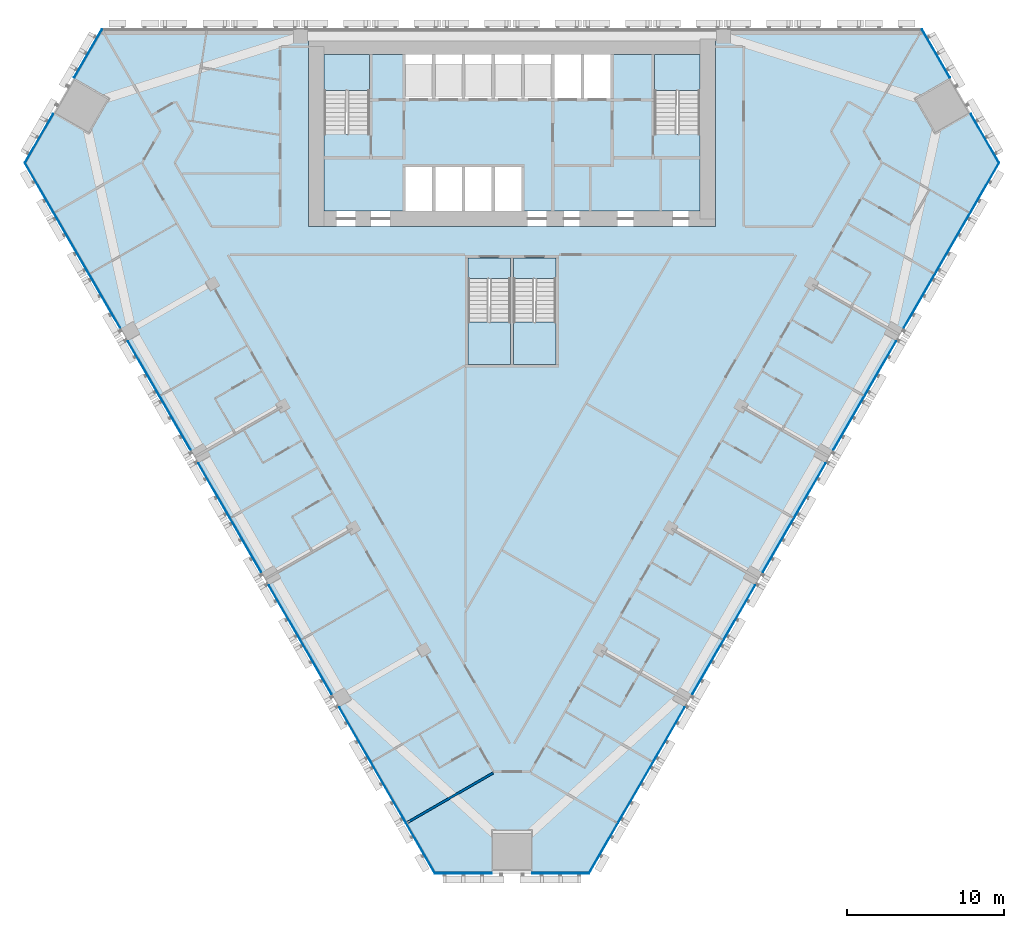
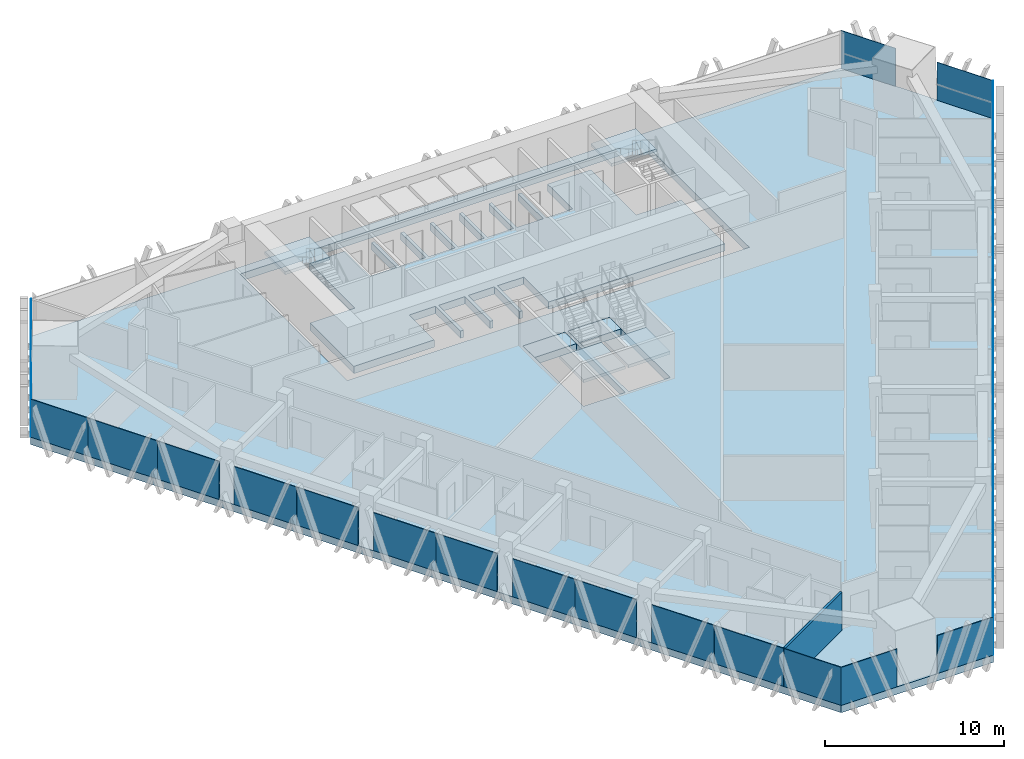
# One storey, part 9 of 18: 30 plates, 8 slabs, 1 wall, 9 elements without a shape of their own.
"""IFC4 building model written with IfcOpenShell, lengths in metres."""

from ifc_helpers import new_model, si_unit, direction, frame, frame_2d, origin, origin_2d, place, context, subcontext, project, spatial, polyline, rectangle, outline, extrude, material, layer, layer_set, type_object, element, aggregate, save


model = new_model("IFC4")

# Units and contexts
model_context = context("Model", 3, precision=1e-05, world=origin(), true_north=direction((0.0, 1.0)))
body_context = subcontext(model_context, "Body", "Model", "MODEL_VIEW")
ifc_project = project(units=[si_unit("LENGTHUNIT", "METRE"), si_unit("AREAUNIT", "SQUARE_METRE"), si_unit("VOLUMEUNIT", "CUBIC_METRE"), si_unit("PLANEANGLEUNIT", "RADIAN"), si_unit("MASSUNIT", "GRAM", prefix="KILO")], contexts=[model_context])

# Site, building, storey
site_placement = place(None, origin())
site = spatial("IfcSite", under=ifc_project, at=site_placement, CompositionType="ELEMENT")
building_placement = place(site_placement, origin())
building = spatial("IfcBuilding", under=site, at=building_placement, Name="Altiplano Prism Tower", CompositionType="ELEMENT")
storey_placement = place(building_placement, frame((0.0, 0.0, 34.199951171875)))
storey = spatial("IfcBuildingStorey", under=building, at=storey_placement, Name="L07", CompositionType="ELEMENT", Elevation=34.199951171875)

# Curtain wall, plates
ifc_material_1 = material(Name="Aluminium and glass", Category="aluminium")
ifc_layer_1 = layer(ifc_material_1, 0.280029296875)
ifc_layer_set_1 = layer_set([ifc_layer_1], Name="Aluminium and glass")
curtain_wall_type = type_object("IfcCurtainWallType", Name="CW1 typical co-living unitised curtain wall", PredefinedType="NOTDEFINED", material=ifc_layer_set_1)
curtain_wall_1_placement = place(storey_placement, origin())
curtain_wall_1 = element("IfcCurtainWall", 1, at=curtain_wall_1_placement, inside=storey, type_object=curtain_wall_type, Name="CW1 curtain wall north-west chamfer L07", PredefinedType="NOTDEFINED")
ifc_material_2 = material(Name="Clear glass", Category="glass")
ifc_layer_2 = layer(ifc_material_2, 0.0400390625)
ifc_layer_set_2 = layer_set([ifc_layer_2], Name="Clear glass")
plate_type = type_object("IfcPlateType", Name="CW1 insulated glass unit 40", PredefinedType="CURTAIN_PANEL", material=ifc_layer_set_2)
plate_1_placement = place(storey_placement, frame((57.924560546875, 103.455810546875, 0.0), z_axis=(0.0, 0.0, 1.0), x_axis=(-0.49999992766, -0.86602544555, 0.0)))
plate_1 = element("IfcPlate", 2, at=plate_1_placement, type_object=plate_type, Name="CW1 panel", PredefinedType="CURTAIN_PANEL", context=body_context, shape_type="SweptSolid", body=[
    extrude(rectangle(XDim=3.532958984375, YDim=0.0400390625, at=origin_2d()), origin(), (0.0, 0.0, 1.0), 2.60009765625),
])
plate_2_placement = place(storey_placement, frame((54.79296875, 98.031982421875, 0.0), z_axis=(0.0, 0.0, 1.0), x_axis=(-0.49999992766, -0.86602544555, 0.0)))
plate_2 = element("IfcPlate", 3, at=plate_2_placement, type_object=plate_type, Name="CW1 panel", PredefinedType="CURTAIN_PANEL", context=body_context, shape_type="SweptSolid", body=[
    extrude(rectangle(XDim=3.613037109375, YDim=0.0400390625, at=origin_2d()), origin(), (0.0, 0.0, 1.0), 2.60009765625),
])
aggregate(curtain_wall_1, [plate_1, plate_2])

curtain_wall_2_placement = place(storey_placement, origin())
curtain_wall_2 = element("IfcCurtainWall", 4, at=curtain_wall_2_placement, inside=storey, type_object=curtain_wall_type, Name="CW1 curtain wall south-west face L07", PredefinedType="NOTDEFINED")
plate_3_placement = place(storey_placement, frame((54.81396484375, 94.8779296875, 0.0), z_axis=(0.0, 0.0, 1.0), x_axis=(0.49999998886, -0.866025410216, 0.0)))
plate_3 = element("IfcPlate", 5, at=plate_3_placement, type_object=plate_type, Name="CW1 panel", PredefinedType="CURTAIN_PANEL", context=body_context, shape_type="SweptSolid", body=[
    extrude(rectangle(XDim=3.697021484375, YDim=0.0400390625, at=origin_2d()), origin(), (0.0, 0.0, 1.0), 2.60009765625),
])
plate_4_placement = place(storey_placement, frame((56.86572265625, 91.32421875, 0.0), z_axis=(0.0, 0.0, 1.0), x_axis=(0.49999998886, -0.866025410216, 0.0)))
plate_4 = element("IfcPlate", 6, at=plate_4_placement, type_object=plate_type, Name="CW1 panel", PredefinedType="CURTAIN_PANEL", context=body_context, shape_type="SweptSolid", body=[
    extrude(rectangle(XDim=4.489990234375, YDim=0.0400390625, at=origin_2d()), origin(), (0.0, 0.0, 1.0), 2.60009765625),
])
plate_5_placement = place(storey_placement, frame((58.9833984375, 87.65625, 0.0), z_axis=(0.0, 0.0, 1.0), x_axis=(0.49999998886, -0.866025410216, 0.0)))
plate_5 = element("IfcPlate", 7, at=plate_5_placement, type_object=plate_type, Name="CW1 panel", PredefinedType="CURTAIN_PANEL", context=body_context, shape_type="SweptSolid", body=[
    extrude(rectangle(XDim=3.96044921875, YDim=0.0400390625, at=origin_2d()), origin(), (0.0, 0.0, 1.0), 2.60009765625),
])
plate_6_placement = place(storey_placement, frame((61.478515625, 83.334716796875, 0.0), z_axis=(0.0, 0.0, 1.0), x_axis=(0.49999998886, -0.866025410216, 0.0)))
plate_6 = element("IfcPlate", 8, at=plate_6_placement, type_object=plate_type, Name="CW1 panel", PredefinedType="CURTAIN_PANEL", context=body_context, shape_type="SweptSolid", body=[
    extrude(rectangle(XDim=4.039306640625, YDim=0.0400390625, at=origin_2d()), origin(), (0.0, 0.0, 1.0), 2.60009765625),
])
plate_7_placement = place(storey_placement, frame((63.4833984375, 79.862060546875, 0.0), z_axis=(0.0, 0.0, 1.0), x_axis=(0.49999998886, -0.866025410216, 0.0)))
plate_7 = element("IfcPlate", 9, at=plate_7_placement, type_object=plate_type, Name="CW1 panel", PredefinedType="CURTAIN_PANEL", context=body_context, shape_type="SweptSolid", body=[
    extrude(rectangle(XDim=3.96044921875, YDim=0.0400390625, at=origin_2d()), origin(), (0.0, 0.0, 1.0), 2.60009765625),
])
plate_8_placement = place(storey_placement, frame((65.978515625, 75.54052734375, 0.0), z_axis=(0.0, 0.0, 1.0), x_axis=(0.49999998886, -0.866025410216, 0.0)))
plate_8 = element("IfcPlate", 10, at=plate_8_placement, type_object=plate_type, Name="CW1 panel", PredefinedType="CURTAIN_PANEL", context=body_context, shape_type="SweptSolid", body=[
    extrude(rectangle(XDim=4.039306640625, YDim=0.0400390625, at=origin_2d()), origin(), (0.0, 0.0, 1.0), 2.60009765625),
])
plate_9_placement = place(storey_placement, frame((67.9833984375, 72.06787109375, 0.0), z_axis=(0.0, 0.0, 1.0), x_axis=(0.49999998886, -0.866025410216, 0.0)))
plate_9 = element("IfcPlate", 11, at=plate_9_placement, type_object=plate_type, Name="CW1 panel", PredefinedType="CURTAIN_PANEL", context=body_context, shape_type="SweptSolid", body=[
    extrude(rectangle(XDim=3.96044921875, YDim=0.0400390625, at=origin_2d()), origin(), (0.0, 0.0, 1.0), 2.60009765625),
])
plate_10_placement = place(storey_placement, frame((70.478515625, 67.746337890625, 0.0), z_axis=(0.0, 0.0, 1.0), x_axis=(0.49999998886, -0.866025410216, 0.0)))
plate_10 = element("IfcPlate", 12, at=plate_10_placement, type_object=plate_type, Name="CW1 panel", PredefinedType="CURTAIN_PANEL", context=body_context, shape_type="SweptSolid", body=[
    extrude(rectangle(XDim=4.039306640625, YDim=0.0400390625, at=origin_2d()), origin(), (0.0, 0.0, 1.0), 2.60009765625),
])
plate_11_placement = place(storey_placement, frame((72.4833984375, 64.273681640625, 0.0), z_axis=(0.0, 0.0, 1.0), x_axis=(0.49999998886, -0.866025410216, 0.0)))
plate_11 = element("IfcPlate", 13, at=plate_11_placement, type_object=plate_type, Name="CW1 panel", PredefinedType="CURTAIN_PANEL", context=body_context, shape_type="SweptSolid", body=[
    extrude(rectangle(XDim=3.96044921875, YDim=0.0400390625, at=origin_2d()), origin(), (0.0, 0.0, 1.0), 2.60009765625),
])
plate_12_placement = place(storey_placement, frame((74.978515625, 59.9521484375, 0.0), z_axis=(0.0, 0.0, 1.0), x_axis=(0.49999998886, -0.866025410216, 0.0)))
plate_12 = element("IfcPlate", 14, at=plate_12_placement, type_object=plate_type, Name="CW1 panel", PredefinedType="CURTAIN_PANEL", context=body_context, shape_type="SweptSolid", body=[
    extrude(rectangle(XDim=4.039306640625, YDim=0.0400390625, at=origin_2d()), origin(), (0.0, 0.0, 1.0), 2.60009765625),
])
plate_13_placement = place(storey_placement, frame((77.11572265625, 56.25, 0.0), z_axis=(0.0, 0.0, 1.0), x_axis=(0.49999998886, -0.866025410216, 0.0)))
plate_13 = element("IfcPlate", 15, at=plate_13_placement, type_object=plate_type, Name="CW1 panel", PredefinedType="CURTAIN_PANEL", context=body_context, shape_type="SweptSolid", body=[
    extrude(rectangle(XDim=4.489990234375, YDim=0.0400390625, at=origin_2d()), origin(), (0.0, 0.0, 1.0), 2.60009765625),
])
plate_14_placement = place(storey_placement, frame((79.16748046875, 52.6962890625, 0.0), z_axis=(0.0, 0.0, 1.0), x_axis=(0.49999998886, -0.866025410216, 0.0)))
plate_14 = element("IfcPlate", 16, at=plate_14_placement, type_object=plate_type, Name="CW1 panel", PredefinedType="CURTAIN_PANEL", context=body_context, shape_type="SweptSolid", body=[
    extrude(rectangle(XDim=3.697021484375, YDim=0.0400390625, at=origin_2d()), origin(), (0.0, 0.0, 1.0), 2.60009765625),
])
aggregate(curtain_wall_2, [plate_3, plate_4, plate_5, plate_6, plate_7, plate_8, plate_9, plate_10, plate_11, plate_12, plate_13, plate_14])

curtain_wall_3_placement = place(storey_placement, origin())
curtain_wall_3 = element("IfcCurtainWall", 17, at=curtain_wall_3_placement, inside=storey, type_object=curtain_wall_type, Name="CW1 curtain wall south chamfer L07", PredefinedType="NOTDEFINED")
plate_15_placement = place(storey_placement, frame((81.888427734375, 51.10107421875, 0.0), z_axis=(0.0, 0.0, 1.0), x_axis=(1.0, 0.0, 0.0)))
plate_15 = element("IfcPlate", 18, at=plate_15_placement, type_object=plate_type, Name="CW1 panel", PredefinedType="CURTAIN_PANEL", context=body_context, shape_type="SweptSolid", body=[
    extrude(rectangle(XDim=3.613037109375, YDim=0.0400390625, at=origin_2d()), origin(), (0.0, 0.0, 1.0), 2.60009765625),
])
plate_16_placement = place(storey_placement, frame((88.111572265625, 51.10107421875, 0.0), z_axis=(0.0, 0.0, 1.0), x_axis=(1.0, 0.0, 0.0)))
plate_16 = element("IfcPlate", 19, at=plate_16_placement, type_object=plate_type, Name="CW1 panel", PredefinedType="CURTAIN_PANEL", context=body_context, shape_type="SweptSolid", body=[
    extrude(rectangle(XDim=3.613037109375, YDim=0.0400390625, at=origin_2d()), origin(), (0.0, 0.0, 1.0), 2.60009765625),
])
aggregate(curtain_wall_3, [plate_15, plate_16])

curtain_wall_4_placement = place(storey_placement, origin())
curtain_wall_4 = element("IfcCurtainWall", 20, at=curtain_wall_4_placement, inside=storey, type_object=curtain_wall_type, Name="CW1 curtain wall south-east face L07", PredefinedType="NOTDEFINED")
plate_17_placement = place(storey_placement, frame((90.83251953125, 52.6962890625, 0.0), z_axis=(0.0, 0.0, 1.0), x_axis=(0.49999998886, 0.866025410216, 0.0)))
plate_17 = element("IfcPlate", 21, at=plate_17_placement, type_object=plate_type, Name="CW1 panel", PredefinedType="CURTAIN_PANEL", context=body_context, shape_type="SweptSolid", body=[
    extrude(rectangle(XDim=3.697021484375, YDim=0.0400390625, at=origin_2d()), origin(), (0.0, 0.0, 1.0), 2.60009765625),
])
plate_18_placement = place(storey_placement, frame((92.88427734375, 56.25, 0.0), z_axis=(0.0, 0.0, 1.0), x_axis=(0.49999998886, 0.866025410216, 0.0)))
plate_18 = element("IfcPlate", 22, at=plate_18_placement, type_object=plate_type, Name="CW1 panel", PredefinedType="CURTAIN_PANEL", context=body_context, shape_type="SweptSolid", body=[
    extrude(rectangle(XDim=4.489990234375, YDim=0.0400390625, at=origin_2d()), origin(), (0.0, 0.0, 1.0), 2.60009765625),
])
plate_19_placement = place(storey_placement, frame((95.021484375, 59.9521484375, 0.0), z_axis=(0.0, 0.0, 1.0), x_axis=(0.49999998886, 0.866025410216, 0.0)))
plate_19 = element("IfcPlate", 23, at=plate_19_placement, type_object=plate_type, Name="CW1 panel", PredefinedType="CURTAIN_PANEL", context=body_context, shape_type="SweptSolid", body=[
    extrude(rectangle(XDim=4.039306640625, YDim=0.0400390625, at=origin_2d()), origin(), (0.0, 0.0, 1.0), 2.60009765625),
])
plate_20_placement = place(storey_placement, frame((97.5166015625, 64.273681640625, 0.0), z_axis=(0.0, 0.0, 1.0), x_axis=(0.49999998886, 0.866025410216, 0.0)))
plate_20 = element("IfcPlate", 24, at=plate_20_placement, type_object=plate_type, Name="CW1 panel", PredefinedType="CURTAIN_PANEL", context=body_context, shape_type="SweptSolid", body=[
    extrude(rectangle(XDim=3.96044921875, YDim=0.0400390625, at=origin_2d()), origin(), (0.0, 0.0, 1.0), 2.60009765625),
])
plate_21_placement = place(storey_placement, frame((99.521484375, 67.746337890625, 0.0), z_axis=(0.0, 0.0, 1.0), x_axis=(0.49999998886, 0.866025410216, 0.0)))
plate_21 = element("IfcPlate", 25, at=plate_21_placement, type_object=plate_type, Name="CW1 panel", PredefinedType="CURTAIN_PANEL", context=body_context, shape_type="SweptSolid", body=[
    extrude(rectangle(XDim=4.039306640625, YDim=0.0400390625, at=origin_2d()), origin(), (0.0, 0.0, 1.0), 2.60009765625),
])
plate_22_placement = place(storey_placement, frame((102.0166015625, 72.06787109375, 0.0), z_axis=(0.0, 0.0, 1.0), x_axis=(0.49999998886, 0.866025410216, 0.0)))
plate_22 = element("IfcPlate", 26, at=plate_22_placement, type_object=plate_type, Name="CW1 panel", PredefinedType="CURTAIN_PANEL", context=body_context, shape_type="SweptSolid", body=[
    extrude(rectangle(XDim=3.96044921875, YDim=0.0400390625, at=origin_2d()), origin(), (0.0, 0.0, 1.0), 2.60009765625),
])
plate_23_placement = place(storey_placement, frame((104.021484375, 75.54052734375, 0.0), z_axis=(0.0, 0.0, 1.0), x_axis=(0.49999998886, 0.866025410216, 0.0)))
plate_23 = element("IfcPlate", 27, at=plate_23_placement, type_object=plate_type, Name="CW1 panel", PredefinedType="CURTAIN_PANEL", context=body_context, shape_type="SweptSolid", body=[
    extrude(rectangle(XDim=4.039306640625, YDim=0.0400390625, at=origin_2d()), origin(), (0.0, 0.0, 1.0), 2.60009765625),
])
plate_24_placement = place(storey_placement, frame((106.5166015625, 79.862060546875, 0.0), z_axis=(0.0, 0.0, 1.0), x_axis=(0.49999998886, 0.866025410216, 0.0)))
plate_24 = element("IfcPlate", 28, at=plate_24_placement, type_object=plate_type, Name="CW1 panel", PredefinedType="CURTAIN_PANEL", context=body_context, shape_type="SweptSolid", body=[
    extrude(rectangle(XDim=3.96044921875, YDim=0.0400390625, at=origin_2d()), origin(), (0.0, 0.0, 1.0), 2.60009765625),
])
plate_25_placement = place(storey_placement, frame((108.521484375, 83.334716796875, 0.0), z_axis=(0.0, 0.0, 1.0), x_axis=(0.49999998886, 0.866025410216, 0.0)))
plate_25 = element("IfcPlate", 29, at=plate_25_placement, type_object=plate_type, Name="CW1 panel", PredefinedType="CURTAIN_PANEL", context=body_context, shape_type="SweptSolid", body=[
    extrude(rectangle(XDim=4.039306640625, YDim=0.0400390625, at=origin_2d()), origin(), (0.0, 0.0, 1.0), 2.60009765625),
])
plate_26_placement = place(storey_placement, frame((111.0166015625, 87.65625, 0.0), z_axis=(0.0, 0.0, 1.0), x_axis=(0.49999998886, 0.866025410216, 0.0)))
plate_26 = element("IfcPlate", 30, at=plate_26_placement, type_object=plate_type, Name="CW1 panel", PredefinedType="CURTAIN_PANEL", context=body_context, shape_type="SweptSolid", body=[
    extrude(rectangle(XDim=3.96044921875, YDim=0.0400390625, at=origin_2d()), origin(), (0.0, 0.0, 1.0), 2.60009765625),
])
plate_27_placement = place(storey_placement, frame((113.13427734375, 91.32421875, 0.0), z_axis=(0.0, 0.0, 1.0), x_axis=(0.49999998886, 0.866025410216, 0.0)))
plate_27 = element("IfcPlate", 31, at=plate_27_placement, type_object=plate_type, Name="CW1 panel", PredefinedType="CURTAIN_PANEL", context=body_context, shape_type="SweptSolid", body=[
    extrude(rectangle(XDim=4.489990234375, YDim=0.0400390625, at=origin_2d()), origin(), (0.0, 0.0, 1.0), 2.60009765625),
])
plate_28_placement = place(storey_placement, frame((115.18603515625, 94.8779296875, 0.0), z_axis=(0.0, 0.0, 1.0), x_axis=(0.49999998886, 0.866025410216, 0.0)))
plate_28 = element("IfcPlate", 32, at=plate_28_placement, type_object=plate_type, Name="CW1 panel", PredefinedType="CURTAIN_PANEL", context=body_context, shape_type="SweptSolid", body=[
    extrude(rectangle(XDim=3.697021484375, YDim=0.0400390625, at=origin_2d()), origin(), (0.0, 0.0, 1.0), 2.60009765625),
])
aggregate(curtain_wall_4, [plate_17, plate_18, plate_19, plate_20, plate_21, plate_22, plate_23, plate_24, plate_25, plate_26, plate_27, plate_28])

curtain_wall_5_placement = place(storey_placement, origin())
curtain_wall_5 = element("IfcCurtainWall", 33, at=curtain_wall_5_placement, inside=storey, type_object=curtain_wall_type, Name="CW1 curtain wall north-east chamfer L07", PredefinedType="NOTDEFINED")
plate_29_placement = place(storey_placement, frame((115.20703125, 98.031982421875, 0.0), z_axis=(0.0, 0.0, 1.0), x_axis=(-0.49999992766, 0.86602544555, 0.0)))
plate_29 = element("IfcPlate", 34, at=plate_29_placement, type_object=plate_type, Name="CW1 panel", PredefinedType="CURTAIN_PANEL", context=body_context, shape_type="SweptSolid", body=[
    extrude(rectangle(XDim=3.613037109375, YDim=0.0400390625, at=origin_2d()), origin(), (0.0, 0.0, 1.0), 2.60009765625),
])
plate_30_placement = place(storey_placement, frame((112.075439453125, 103.455810546875, 0.0), z_axis=(0.0, 0.0, 1.0), x_axis=(-0.49999992766, 0.86602544555, 0.0)))
plate_30 = element("IfcPlate", 35, at=plate_30_placement, type_object=plate_type, Name="CW1 panel", PredefinedType="CURTAIN_PANEL", context=body_context, shape_type="SweptSolid", body=[
    extrude(rectangle(XDim=3.532958984375, YDim=0.0400390625, at=origin_2d()), origin(), (0.0, 0.0, 1.0), 2.60009765625),
])
aggregate(curtain_wall_5, [plate_29, plate_30])

# Slabs
ifc_material_3 = material(Name="Concrete C40/50", Category="concrete")
ifc_layer_3 = layer(ifc_material_3, 0.5)
ifc_layer_set_3 = layer_set([ifc_layer_3], Name="Concrete C40/50")
slab_type_1 = type_object("IfcSlabType", Name="Core floor slab 500", PredefinedType="FLOOR", material=ifc_layer_set_3)
slab_1_placement = place(storey_placement, frame((0.0, 0.0, -0.5)))
element("IfcSlab", 36, at=slab_1_placement, inside=storey, type_object=slab_type_1, Name="Core floor slab L07", PredefinedType="FLOOR", context=body_context, shape_type="SweptSolid", body=[
    extrude(outline(polyline([(97.0, 98.31005859375), (94.10009765625, 98.31005859375), (94.10009765625, 103.39990234375), (91.300048828125, 103.39990234375), (91.300048828125, 100.60009765625), (89.60009765625, 100.60009765625), (89.60009765625, 103.39990234375), (89.39990234375, 103.39990234375), (89.39990234375, 100.60009765625), (87.699951171875, 100.60009765625), (87.699951171875, 103.39990234375), (87.5, 103.39990234375), (87.5, 100.60009765625), (85.800048828125, 100.60009765625), (85.800048828125, 103.39990234375), (85.60009765625, 103.39990234375), (85.60009765625, 100.60009765625), (83.89990234375, 100.60009765625), (83.89990234375, 103.39990234375), (83.699951171875, 103.39990234375), (83.699951171875, 100.60009765625), (82.0, 100.60009765625), (82.0, 103.39990234375), (81.800048828125, 103.39990234375), (81.800048828125, 100.60009765625), (80.10009765625, 100.60009765625), (80.10009765625, 103.39990234375), (79.89990234375, 103.39990234375), (79.89990234375, 100.60009765625), (78.199951171875, 100.60009765625), (78.199951171875, 103.39990234375), (75.89990234375, 103.39990234375), (75.89990234375, 98.31005859375), (73.0, 98.31005859375), (73.0, 93.39990234375), (78.199951171875, 93.39990234375), (78.199951171875, 96.199951171875), (79.89990234375, 96.199951171875), (79.89990234375, 93.39990234375), (80.10009765625, 93.39990234375), (80.10009765625, 96.199951171875), (81.800048828125, 96.199951171875), (81.800048828125, 93.39990234375), (82.0, 93.39990234375), (82.0, 96.199951171875), (83.699951171875, 96.199951171875), (83.699951171875, 93.39990234375), (83.89990234375, 93.39990234375), (83.89990234375, 96.199951171875), (85.60009765625, 96.199951171875), (85.60009765625, 93.39990234375), (97.0, 93.39990234375), (97.0, 98.31005859375)])), origin(), (0.0, 0.0, 1.0), 0.5),
])
slab_2_placement = place(storey_placement, frame((0.0, 0.0, -0.5)))
element("IfcSlab", 37, at=slab_2_placement, inside=storey, type_object=slab_type_1, Name="Stair 3A landing slab L07", PredefinedType="FLOOR", context=body_context, shape_type="SweptSolid", body=[
    extrude(outline(polyline([(82.199951171875, 89.096923828125), (84.89990234375, 89.096923828125), (84.89990234375, 90.39990234375), (82.199951171875, 90.39990234375), (82.199951171875, 89.096923828125)])), origin(), (0.0, 0.0, 1.0), 0.5),
])
slab_3_placement = place(storey_placement, frame((0.0, 0.0, -0.5)))
element("IfcSlab", 38, at=slab_3_placement, inside=storey, type_object=slab_type_1, Name="Stair 3B landing slab L07", PredefinedType="FLOOR", context=body_context, shape_type="SweptSolid", body=[
    extrude(outline(polyline([(85.10009765625, 89.096923828125), (87.800048828125, 89.096923828125), (87.800048828125, 90.39990234375), (85.10009765625, 90.39990234375), (85.10009765625, 89.096923828125)])), origin(), (0.0, 0.0, 1.0), 0.5),
])
ifc_layer_4 = layer(ifc_material_3, 0.5)
ifc_layer_set_4 = layer_set([ifc_layer_4], Name="Concrete C40/50")
slab_type_2 = type_object("IfcSlabType", Name="Post-tensioned flat slab 500", PredefinedType="FLOOR", material=ifc_layer_set_4)
slab_4_placement = place(storey_placement, frame((0.0, 0.0, -0.5)))
element("IfcSlab", 39, at=slab_4_placement, inside=storey, type_object=slab_type_2, Name="Floor slab L07", PredefinedType="FLOOR", context=body_context, shape_type="SweptSolid", body=[
    extrude(outline(polyline([(80.076904296875, 51.0810546875), (53.869873046875, 96.47314453125), (58.79296875, 105.0), (111.20703125, 105.0), (116.130126953125, 96.47314453125), (89.923095703125, 51.0810546875), (80.076904296875, 51.0810546875)]), holes=[polyline([(72.0, 104.39990234375), (72.0, 92.39990234375), (98.0, 92.39990234375), (98.0, 104.39990234375), (72.0, 104.39990234375)]), polyline([(84.89990234375, 90.39990234375), (82.199951171875, 90.39990234375), (82.199951171875, 83.60009765625), (84.89990234375, 83.60009765625), (84.89990234375, 90.39990234375)]), polyline([(87.800048828125, 83.60009765625), (87.800048828125, 90.39990234375), (85.10009765625, 90.39990234375), (85.10009765625, 83.60009765625), (87.800048828125, 83.60009765625)])]), origin(), (0.0, 0.0, 1.0), 0.5),
])

# Stair, slab
stair_type_1 = type_object("IfcStairType", Name="Exit stair 1400", PredefinedType="HALF_TURN_STAIR", material=ifc_material_3)
stair_1_placement = place(storey_placement, origin())
stair_1 = element("IfcStair", 40, at=stair_1_placement, inside=storey, type_object=stair_type_1, Name="L07 Exit Stair 1", PredefinedType="HALF_TURN_STAIR")
ifc_layer_5 = layer(ifc_material_3, 0.199951171875)
ifc_layer_set_5 = layer_set([ifc_layer_5], Name="Concrete C40/50")
slab_type_3 = type_object("IfcSlabType", Name="Stair landing 200", PredefinedType="LANDING", material=ifc_layer_set_5)
slab_5_placement = place(storey_placement, frame((0.0, 0.0, 1.60009765625)))
slab_5 = element("IfcSlab", 41, at=slab_5_placement, type_object=slab_type_3, Name="ST1 landing 1", PredefinedType="LANDING", context=body_context, shape_type="SweptSolid", body=[
    extrude(outline(polyline([(75.89990234375, 101.096923828125), (75.89990234375, 103.39990234375), (73.0, 103.39990234375), (73.0, 101.096923828125), (75.89990234375, 101.096923828125)])), origin(), (0.0, 0.0, 1.0), 0.199951171875),
])
aggregate(stair_1, [slab_5])

stair_2_placement = place(storey_placement, origin())
stair_2 = element("IfcStair", 42, at=stair_2_placement, inside=storey, type_object=stair_type_1, Name="L07 Exit Stair 2", PredefinedType="HALF_TURN_STAIR")
slab_6_placement = place(storey_placement, frame((0.0, 0.0, 1.60009765625)))
slab_6 = element("IfcSlab", 43, at=slab_6_placement, type_object=slab_type_3, Name="ST2 landing 1", PredefinedType="LANDING", context=body_context, shape_type="SweptSolid", body=[
    extrude(outline(polyline([(97.0, 101.096923828125), (97.0, 103.39990234375), (94.10009765625, 103.39990234375), (94.10009765625, 101.096923828125), (97.0, 101.096923828125)])), origin(), (0.0, 0.0, 1.0), 0.199951171875),
])
aggregate(stair_2, [slab_6])

stair_type_2 = type_object("IfcStairType", Name="Exit stair 1300", PredefinedType="HALF_TURN_STAIR", material=ifc_material_3)
stair_3_placement = place(storey_placement, origin())
stair_3 = element("IfcStair", 44, at=stair_3_placement, inside=storey, type_object=stair_type_2, Name="L07 Exit Stair 3A", PredefinedType="HALF_TURN_STAIR")
slab_7_placement = place(storey_placement, frame((0.0, 0.0, 1.60009765625)))
slab_7 = element("IfcSlab", 45, at=slab_7_placement, type_object=slab_type_3, Name="ST3A landing 1", PredefinedType="LANDING", context=body_context, shape_type="SweptSolid", body=[
    extrude(outline(polyline([(82.199951171875, 86.302978515625), (82.199951171875, 83.60009765625), (84.89990234375, 83.60009765625), (84.89990234375, 86.302978515625), (82.199951171875, 86.302978515625)])), origin(), (0.0, 0.0, 1.0), 0.199951171875),
])
aggregate(stair_3, [slab_7])

stair_4_placement = place(storey_placement, origin())
stair_4 = element("IfcStair", 46, at=stair_4_placement, inside=storey, type_object=stair_type_2, Name="L07 Exit Stair 3B", PredefinedType="HALF_TURN_STAIR")
slab_8_placement = place(storey_placement, frame((0.0, 0.0, 1.60009765625)))
slab_8 = element("IfcSlab", 47, at=slab_8_placement, type_object=slab_type_3, Name="ST3B landing 1", PredefinedType="LANDING", context=body_context, shape_type="SweptSolid", body=[
    extrude(outline(polyline([(85.10009765625, 86.302978515625), (85.10009765625, 83.60009765625), (87.800048828125, 83.60009765625), (87.800048828125, 86.302978515625), (85.10009765625, 86.302978515625)])), origin(), (0.0, 0.0, 1.0), 0.199951171875),
])
aggregate(stair_4, [slab_8])

# Wall
ifc_material_4 = material(Name="Plasterboard on steel stud", Category="steel")
ifc_layer_6 = layer(ifc_material_4, 0.14990234375)
ifc_layer_set_6 = layer_set([ifc_layer_6], Name="Plasterboard on steel stud")
wall_type = type_object("IfcWallType", Name="Partition 150 party", PredefinedType="PARTITIONING", material=ifc_layer_set_6)
wall_placement = place(storey_placement, frame((78.29248046875, 54.331298828125, 0.0), z_axis=(0.0, 0.0, 1.0), x_axis=(0.866014393704, 0.500019069534, 0.0)))
element("IfcWall", 48, at=wall_placement, inside=storey, type_object=wall_type, Name="Partition P01 L07 052", PredefinedType="PARTITIONING", context=body_context, shape_type="SweptSolid", body=[
    extrude(rectangle(XDim=6.341064453125, YDim=0.14990234375, at=frame_2d((3.17041015625, 0.0))), origin(), (0.0, 0.0, 1.0), 2.60009765625),
])

save(model, "model.ifc")
